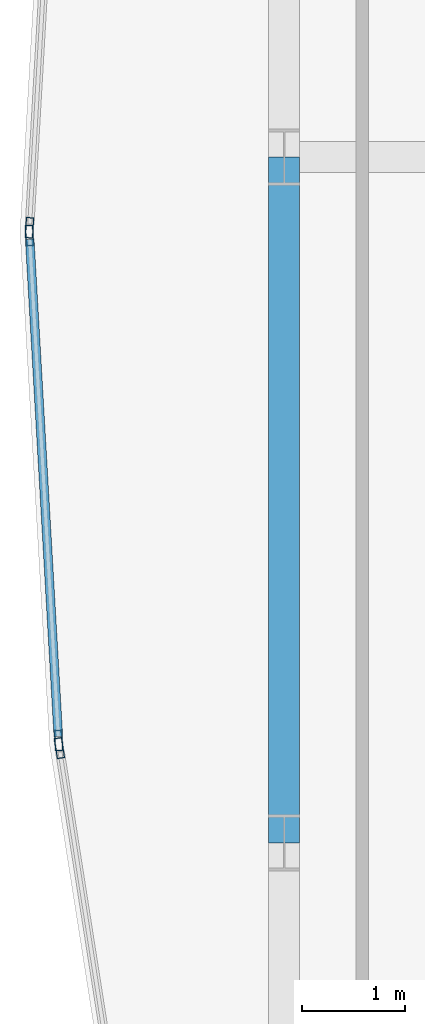
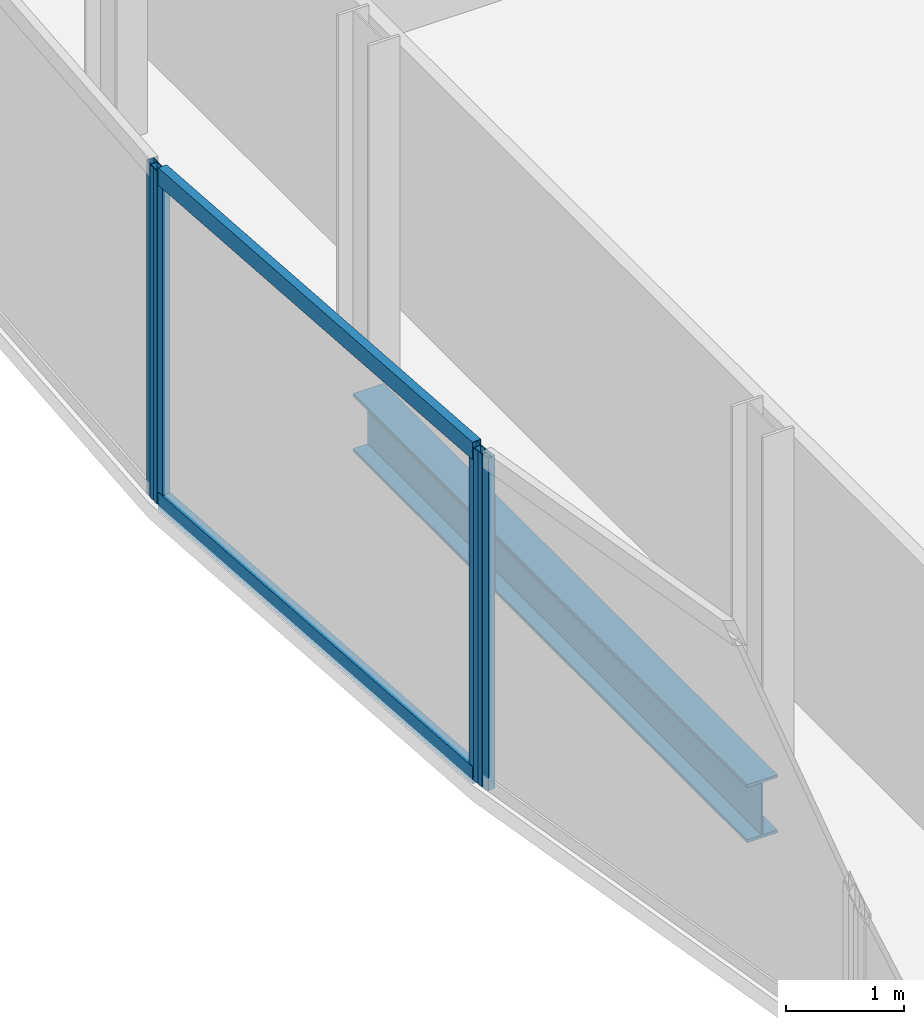
# One storey, part 10 of 32: 6 members, 1 beam, 3 elements without a shape of their own.
"""IFC4 building model written with IfcOpenShell, lengths in metres."""

from ifc_helpers import new_model, si_unit, direction, frame, origin, origin_2d, place, context, subcontext, project, spatial, hollow_rectangle, i_section, extrude, material, material_profile, profile_set, type_object, element, aggregate, save


model = new_model("IFC4")

# Units and contexts
model_context = context("Model", 3, precision=1e-05, world=origin(), true_north=direction((0.0, 1.0)))
body_context = subcontext(model_context, "Body", "Model", "MODEL_VIEW")
ifc_project = project(units=[si_unit("LENGTHUNIT", "METRE"), si_unit("AREAUNIT", "SQUARE_METRE"), si_unit("VOLUMEUNIT", "CUBIC_METRE"), si_unit("PLANEANGLEUNIT", "RADIAN"), si_unit("MASSUNIT", "GRAM", prefix="KILO")], contexts=[model_context])

# Site, building, storey
site_placement = place(None, origin())
site = spatial("IfcSite", under=ifc_project, at=site_placement, CompositionType="ELEMENT")
building_placement = place(site_placement, origin())
building = spatial("IfcBuilding", under=site, at=building_placement, Name="Khoronbel Lancet Exchange", CompositionType="ELEMENT")
storey_placement = place(building_placement, frame((0.0, 0.0, 111.0)))
storey = spatial("IfcBuildingStorey", under=building, at=storey_placement, Name="L26", CompositionType="ELEMENT", Elevation=111.0)

# Beam
ifc_material_1 = material(Name="Steel S355", Category="steel")
ifc_material_profile_1 = material_profile(ifc_material_1, i_section(OverallWidth=0.300048828125, OverallDepth=0.60009765625, WebThickness=0.015380859375, FlangeThickness=0.030029296875, at=origin_2d()), Name="HEB 600")
ifc_profile_set_1 = profile_set([ifc_material_profile_1], Name="Steel S355")
beam_type = type_object("IfcBeamType", Name="BM-BSP2", PredefinedType="SPANDREL", material=ifc_profile_set_1)
beam_placement = place(storey_placement, frame((3.27001953125, 31.425048828125, -0.4599609375), z_axis=(0.0, -1.0, 0.0), x_axis=(1.0, 0.0, 0.0)))
element("IfcBeam", 1, at=beam_placement, inside=storey, type_object=beam_type, Name="Level L26 perimeter spandrel beam SP19", PredefinedType="SPANDREL", context=body_context, shape_type="SweptSolid", body=[
    extrude(i_section(OverallWidth=0.300048828125, OverallDepth=0.60009765625, WebThickness=0.015380859375, FlangeThickness=0.030029296875, at=origin_2d()), origin(), (0.0, 0.0, 1.0), 6.675048828125),
])

# Curtain wall, member
ifc_material_2 = material(Name="Low-E Solar Control Insulating Glass", Category="glass")
curtain_wall_type = type_object("IfcCurtainWallType", Name="CW-4", PredefinedType="NOTDEFINED", material=ifc_material_2)
curtain_wall_1_placement = place(storey_placement, origin())
curtain_wall_1 = element("IfcCurtainWall", 2, at=curtain_wall_1_placement, inside=storey, type_object=curtain_wall_type, Name="Unitised curtain wall CW-L26-E05", PredefinedType="NOTDEFINED")
ifc_material_3 = material(Name="Bronze-Anodised Aluminium 6063-T6", Category="aluminium")
ifc_material_profile_2 = material_profile(ifc_material_3, hollow_rectangle(XDim=0.074951171875, YDim=0.199951171875, WallThickness=0.0048828125, at=origin_2d()), Name="ALU MULLION 75x200")
ifc_profile_set_2 = profile_set([ifc_material_profile_2], Name="Bronze-Anodised Aluminium 6063-T6")
member_type_1 = type_object("IfcMemberType", Name="MEM-CWM2", PredefinedType="MULLION", material=ifc_profile_set_2)
member_1_placement = place(storey_placement, frame((1.08349609375, 25.672607421875, 0.0), z_axis=(0.0, 0.0, 1.0), x_axis=(-0.987838563117, -0.155483031933, 0.0)))
member_1 = element("IfcMember", 3, at=member_1_placement, type_object=member_type_1, Name="CW4 mullion 2", PredefinedType="MULLION", context=body_context, shape_type="SweptSolid", body=[
    extrude(hollow_rectangle(XDim=0.074951171875, YDim=0.199951171875, WallThickness=0.0048828125, at=origin_2d()), origin(), (0.0, 0.0, 1.0), 3.43994140625),
])
aggregate(curtain_wall_1, [member_1])

# Curtain wall, members
curtain_wall_2_placement = place(storey_placement, origin())
curtain_wall_2 = element("IfcCurtainWall", 4, at=curtain_wall_2_placement, inside=storey, type_object=curtain_wall_type, Name="Unitised curtain wall CW-L26-E06", PredefinedType="NOTDEFINED")
member_2_placement = place(storey_placement, frame((1.075439453125, 25.7470703125, 0.0), z_axis=(0.0, 0.0, 1.0), x_axis=(-0.998344628145, -0.057515245397, 0.0)))
member_2 = element("IfcMember", 5, at=member_2_placement, type_object=member_type_1, Name="CW4 mullion 1", PredefinedType="MULLION", context=body_context, shape_type="SweptSolid", body=[
    extrude(hollow_rectangle(XDim=0.074951171875, YDim=0.199951171875, WallThickness=0.0048828125, at=origin_2d()), origin(), (0.0, 0.0, 1.0), 3.43994140625),
])
member_3_placement = place(storey_placement, frame((0.792236328125, 30.66259765625, 0.0), z_axis=(0.0, 0.0, 1.0), x_axis=(-0.998344628145, -0.057515245397, 0.0)))
member_3 = element("IfcMember", 6, at=member_3_placement, type_object=member_type_1, Name="CW4 mullion 2", PredefinedType="MULLION", context=body_context, shape_type="SweptSolid", body=[
    extrude(hollow_rectangle(XDim=0.074951171875, YDim=0.199951171875, WallThickness=0.0048828125, at=origin_2d()), origin(), (0.0, 0.0, 1.0), 3.43994140625),
])

# Curtain wall, member
curtain_wall_3_placement = place(storey_placement, origin())
curtain_wall_3 = element("IfcCurtainWall", 7, at=curtain_wall_3_placement, inside=storey, type_object=curtain_wall_type, Name="Unitised curtain wall CW-L26-E07", PredefinedType="NOTDEFINED")
member_4_placement = place(storey_placement, frame((0.792236328125, 30.737548828125, 0.0), z_axis=(0.0, 0.0, 1.0), x_axis=(-0.998344628145, 0.057515245397, 0.0)))
member_4 = element("IfcMember", 8, at=member_4_placement, type_object=member_type_1, Name="CW4 mullion 1", PredefinedType="MULLION", context=body_context, shape_type="SweptSolid", body=[
    extrude(hollow_rectangle(XDim=0.074951171875, YDim=0.199951171875, WallThickness=0.0048828125, at=origin_2d()), origin(), (0.0, 0.0, 1.0), 3.43994140625),
])
aggregate(curtain_wall_3, [member_4])

# Member
ifc_material_profile_3 = material_profile(ifc_material_3, hollow_rectangle(XDim=0.0849609375, YDim=0.179931640625, WallThickness=0.0048828125, at=origin_2d()), Name="ALU TRANSOM 85x180")
ifc_profile_set_3 = profile_set([ifc_material_profile_3], Name="Bronze-Anodised Aluminium 6063-T6")
member_type_2 = type_object("IfcMemberType", Name="MEM-CWT1", PredefinedType="USERDEFINED", material=ifc_profile_set_3)
member_5_placement = place(storey_placement, frame((1.0732421875, 25.784423828125, 0.04248046875), z_axis=(-0.057500028563, 0.99834550468, 0.0), x_axis=(-0.99834550468, -0.057500028563, 0.0)))
member_5 = element("IfcMember", 9, at=member_5_placement, type_object=member_type_2, Name="CW4 transom 1.1", ObjectType="TRANSOM", PredefinedType="USERDEFINED", context=body_context, shape_type="SweptSolid", body=[
    extrude(hollow_rectangle(XDim=0.0849609375, YDim=0.179931640625, WallThickness=0.0048828125, at=origin_2d()), origin(), (0.0, 0.0, 1.0), 4.848876953125),
])

member_6_placement = place(storey_placement, frame((1.0732421875, 25.784423828125, 3.3974609375), z_axis=(-0.057500028563, 0.99834550468, 0.0), x_axis=(-0.99834550468, -0.057500028563, 0.0)))
member_6 = element("IfcMember", 10, at=member_6_placement, type_object=member_type_2, Name="CW4 transom 1.2", ObjectType="TRANSOM", PredefinedType="USERDEFINED", context=body_context, shape_type="SweptSolid", body=[
    extrude(hollow_rectangle(XDim=0.0849609375, YDim=0.179931640625, WallThickness=0.0048828125, at=origin_2d()), origin(), (0.0, 0.0, 1.0), 4.848876953125),
])

aggregate(curtain_wall_2, [member_2, member_3, member_5, member_6])

save(model, "model.ifc")
